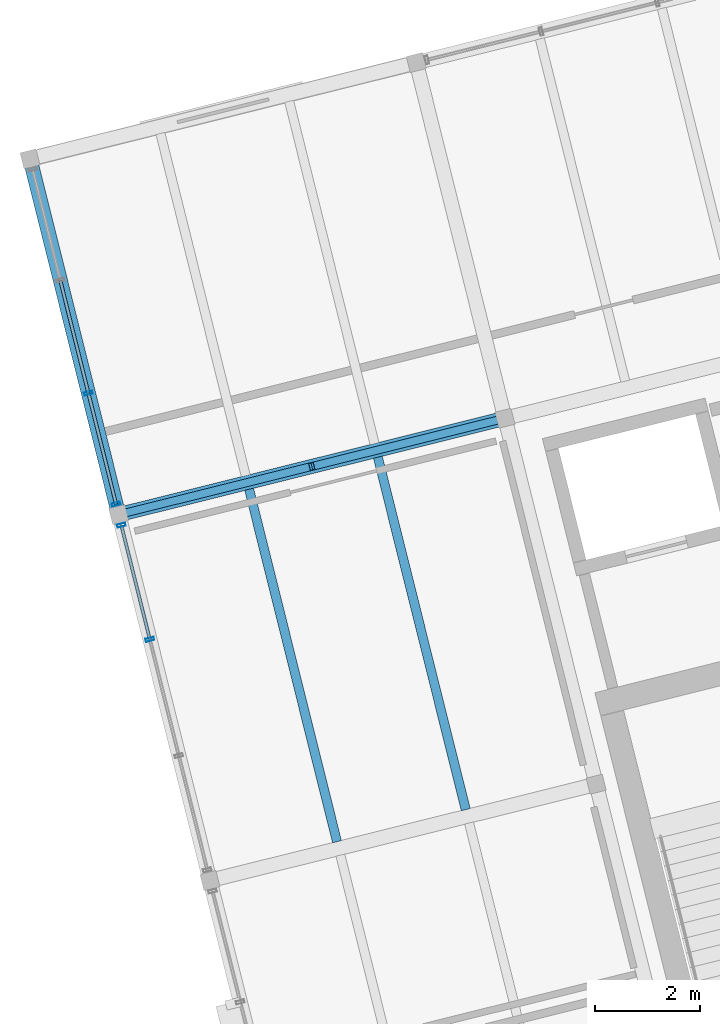
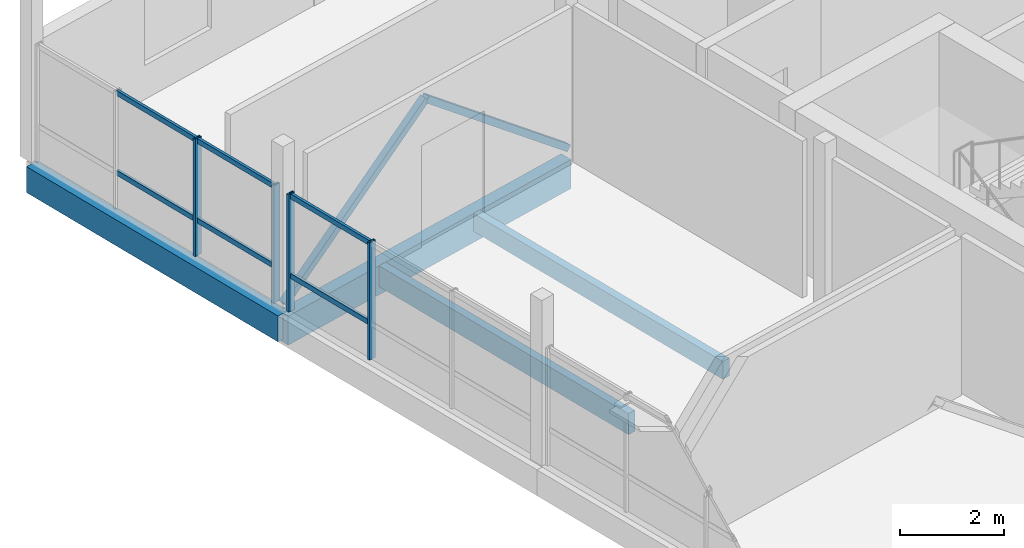
# One storey, part 9 of 25: 12 members, 4 beams, 2 elements without a shape of their own.
"""IFC4 building model written with IfcOpenShell, lengths in metres."""

import ifcopenshell
import ifcopenshell.guid

model = None  # the IFC model being written
_history = None  # IfcOwnerHistory: only IFC2X3 demands one
_inside = {}  # id of a spatial element -> (the spatial element, [elements in it])
_under = {}  # id of a project, library or spatial element -> (it, [spatial elements below it])
_declared = {}  # id of a project -> (the project, [libraries it declares])
_typed = {}  # id of a type object -> (the type object, [elements of that type])
_made_of = {}  # id of a material, layer set ... -> (it, [elements and type objects made of it])


def new_model(schema):
    """Start an empty IFC model of exactly this schema.

    Asked for "IFC4X3", IfcOpenShell would pick the latest addendum, in which some entities
    have other attributes; the version numbers below select the first issue.
    IFC2X3 requires an IfcOwnerHistory on every rooted entity: one is made here for all.
    """
    global model, _history
    if schema == "IFC4X3":
        model = ifcopenshell.file(schema_version=(4, 3, 0, 0))
    else:
        model = ifcopenshell.file(schema=schema)
    _inside.clear()
    _under.clear()
    _declared.clear()
    _typed.clear()
    _made_of.clear()
    _history = None
    if model.schema == "IFC2X3":
        org = make("IfcOrganization", Name="unknown")
        user = make(
            "IfcPersonAndOrganization",
            ThePerson=make("IfcPerson", FamilyName="unknown"),
            TheOrganization=org,
        )
        app = make(
            "IfcApplication",
            ApplicationDeveloper=org,
            Version="unknown",
            ApplicationFullName="unknown",
            ApplicationIdentifier="unknown",
        )
        _history = make(
            "IfcOwnerHistory",
            OwningUser=user,
            OwningApplication=app,
            ChangeAction="ADDED",
            CreationDate=0,
        )
    return model


def make(cls, **values):
    """One entity of the class cls with the attributes given. An attribute that is None is left unset."""
    return model.create_entity(
        cls, **{name: value for name, value in values.items() if value is not None}
    )


def rooted(cls, **values):
    """An entity with a GlobalId (a new one), such as an element, a storey or a relation."""
    return make(cls, GlobalId=ifcopenshell.guid.new(), OwnerHistory=_history, **values)


def si_unit(unit_type, name, prefix=None):
    """IfcSIUnit, for example si_unit("LENGTHUNIT", "METRE", prefix="MILLI")."""
    return make("IfcSIUnit", UnitType=unit_type, Prefix=prefix, Name=name)


def assignment(units):
    """IfcUnitAssignment: the units of a project."""
    return None if units is None else make("IfcUnitAssignment", Units=units)


def point(xyz):
    """IfcCartesianPoint."""
    return None if xyz is None else make("IfcCartesianPoint", Coordinates=xyz)


def direction(xyz):
    """IfcDirection."""
    return None if xyz is None else make("IfcDirection", DirectionRatios=xyz)


def frame(location, z_axis=None, x_axis=None):
    """IfcAxis2Placement3D, a coordinate frame: its origin and axes. An axis left out is left unset."""
    return make(
        "IfcAxis2Placement3D",
        Location=point(location),
        Axis=direction(z_axis),
        RefDirection=direction(x_axis),
    )


def frame_2d(location, x_axis=None):
    """IfcAxis2Placement2D, a coordinate frame in the plane: its origin and x axis."""
    return make(
        "IfcAxis2Placement2D", Location=point(location), RefDirection=direction(x_axis)
    )


def origin():
    """The frame at (0, 0, 0) with its axes left unset."""
    return frame((0.0, 0.0, 0.0))


def origin_2d():
    """The frame at (0, 0) in the plane with its x axis left unset."""
    return frame_2d((0.0, 0.0))


def place(relative_to, where):
    """IfcLocalPlacement: puts the frame where relative to a parent placement (None: the world)."""
    return make(
        "IfcLocalPlacement", PlacementRelTo=relative_to, RelativePlacement=where
    )


def context(
    kind, dimensions, precision=None, world=None, true_north=None, identifier=None
):
    """IfcGeometricRepresentationContext, for example the 3D "Model" context."""
    return make(
        "IfcGeometricRepresentationContext",
        ContextIdentifier=identifier,
        ContextType=kind,
        CoordinateSpaceDimension=dimensions,
        Precision=precision,
        WorldCoordinateSystem=world,
        TrueNorth=true_north,
    )


def subcontext(parent, identifier, kind, view, scale=None):
    """IfcGeometricRepresentationSubContext, for example "Body" below "Model"."""
    return make(
        "IfcGeometricRepresentationSubContext",
        ContextIdentifier=identifier,
        ContextType=kind,
        ParentContext=parent,
        TargetScale=scale,
        TargetView=view,
    )


def project(units=None, contexts=None):
    """IfcProject with its units and contexts."""
    return rooted(
        "IfcProject",
        Name="project",
        RepresentationContexts=contexts,
        UnitsInContext=assignment(units),
    )


def spatial(cls, under=None, at=None, **own):
    """A site, building, storey or space (cls), placed at a placement, below another one or the project."""
    s = rooted(cls, ObjectPlacement=at, **own)
    if under is not None:
        _under.setdefault(under.id(), (under, []))[1].append(s)
    return s


def profile(cls, at=None, kind="AREA", **sizes):
    """A parametric profile (cls). Its sizes go by their IFC names, for example OverallWidth=200.0."""
    return make(cls, ProfileType=kind, Position=at, **sizes)


def rectangle(**sizes):
    """IfcRectangleProfileDef."""
    return profile("IfcRectangleProfileDef", **sizes)


def hollow_rectangle(**sizes):
    """IfcRectangleHollowProfileDef."""
    return profile("IfcRectangleHollowProfileDef", **sizes)


def extrude(swept, where, along, depth):
    """IfcExtrudedAreaSolid: the profile swept, set in the frame where, extruded along a direction by depth."""
    return make(
        "IfcExtrudedAreaSolid",
        SweptArea=swept,
        Position=where,
        ExtrudedDirection=direction(along),
        Depth=depth,
    )


def shape(context_of_items, identifier, shape_type, items):
    """IfcShapeRepresentation: the items that make up one representation, for example the "Body"."""
    return make(
        "IfcShapeRepresentation",
        ContextOfItems=context_of_items,
        RepresentationIdentifier=identifier,
        RepresentationType=shape_type,
        Items=items,
    )


def material(Name=None, Category=None):
    """IfcMaterial."""
    return make("IfcMaterial", Name=Name, Category=Category)


def layer(
    of_material, thickness, ventilated=None, Name=None, Category=None, Priority=None
):
    """IfcMaterialLayer: one layer of a wall or slab, of a material (None: an air gap)."""
    return make(
        "IfcMaterialLayer",
        Material=of_material,
        LayerThickness=thickness,
        IsVentilated=ventilated,
        Name=Name,
        Category=Category,
        Priority=Priority,
    )


def layer_set(layers, Name=None):
    """IfcMaterialLayerSet."""
    return make("IfcMaterialLayerSet", MaterialLayers=layers, LayerSetName=Name)


def material_profile(
    of_material, cross_section, Name=None, Category=None, Priority=None
):
    """IfcMaterialProfile: a cross section and its material."""
    return make(
        "IfcMaterialProfile",
        Name=Name,
        Material=of_material,
        Profile=cross_section,
        Priority=Priority,
        Category=Category,
    )


def profile_set(profiles, Name=None, composite=None):
    """IfcMaterialProfileSet."""
    return make(
        "IfcMaterialProfileSet",
        Name=Name,
        MaterialProfiles=profiles,
        CompositeProfile=composite,
    )


def made_of(thing, what):
    """Note that an element or type object is made of a material, layer set ...; save() writes the relation."""
    if what is not None:
        _made_of.setdefault(what.id(), (what, []))[1].append(thing)
    return thing


def type_object(cls, material=None, **own):
    """A type object (cls), such as IfcWallType, which elements share."""
    return made_of(rooted(cls, **own), material)


def element(
    cls,
    number,
    at=None,
    inside=None,
    cuts=None,
    type_object=None,
    material=None,
    context=None,
    identifier="Body",
    shape_type=None,
    held_by="IfcProductDefinitionShape",
    body=None,
    shapes=None,
    **own,
):
    """One element of the class cls, such as IfcWall. Its Tag is "e" and its number.

    at: its placement. inside: the storey or other place that contains it. cuts: it is an
    opening in that element (IfcRelVoidsElement). A single representation is given by context,
    identifier, shape_type and body (its items); several are given by shapes. held_by: the class
    of the entity that holds the representations. save() writes the other relations.
    """
    e = rooted(cls, Tag="e%d" % number, ObjectPlacement=at, **own)
    if body is not None:
        shapes = [shape(context, identifier, shape_type, body)]
    if shapes is not None:
        e.Representation = make(held_by, Representations=shapes)
    if inside is not None:
        _inside.setdefault(inside.id(), (inside, []))[1].append(e)
    if cuts is not None:
        rooted(
            "IfcRelVoidsElement", RelatingBuildingElement=cuts, RelatedOpeningElement=e
        )
    if type_object is not None:
        _typed.setdefault(type_object.id(), (type_object, []))[1].append(e)
    return made_of(e, material)


def aggregate(whole, parts):
    """IfcRelAggregates: a whole, such as a stair, and the parts it consists of."""
    return rooted("IfcRelAggregates", RelatingObject=whole, RelatedObjects=parts)


def save(model, path):
    """Write the relations noted so far, then the file.

    IfcRelAggregates (storeys below a building ...), IfcRelContainedInSpatialStructure (elements
    in a storey), IfcRelDefinesByType, IfcRelAssociatesMaterial and IfcRelDeclares: one each for
    every whole, place, type object, material and project.
    """
    for whole, parts in _under.values():
        aggregate(whole, parts)
    for where, things in _inside.values():
        rooted(
            "IfcRelContainedInSpatialStructure",
            RelatedElements=things,
            RelatingStructure=where,
        )
    for kind, things in _typed.values():
        rooted("IfcRelDefinesByType", RelatedObjects=things, RelatingType=kind)
    for what, things in _made_of.values():
        rooted("IfcRelAssociatesMaterial", RelatedObjects=things, RelatingMaterial=what)
    for by, libraries in _declared.values():
        rooted("IfcRelDeclares", RelatingContext=by, RelatedDefinitions=libraries)
    model.write(path)


model = new_model("IFC4")

# Units and contexts
model_context = context("Model", 3, precision=1e-05, world=origin(), true_north=direction((0.0, 1.0)))
body_context = subcontext(model_context, "Body", "Model", "MODEL_VIEW")
ifc_project = project(units=[si_unit("LENGTHUNIT", "METRE"), si_unit("AREAUNIT", "SQUARE_METRE"), si_unit("VOLUMEUNIT", "CUBIC_METRE"), si_unit("PLANEANGLEUNIT", "RADIAN"), si_unit("MASSUNIT", "GRAM", prefix="KILO")], contexts=[model_context])

# Site, building, storey
site_placement = place(None, origin())
site = spatial("IfcSite", under=ifc_project, at=site_placement, CompositionType="ELEMENT")
building_placement = place(site_placement, origin())
building = spatial("IfcBuilding", under=site, at=building_placement, Name="Meriwether Solvik Hall", CompositionType="ELEMENT")
storey_placement = place(building_placement, frame((0.0, 0.0, 53.39990234375)))
storey = spatial("IfcBuildingStorey", under=building, at=storey_placement, Name="L13", CompositionType="ELEMENT", Elevation=53.39990234375)

# Beams
ifc_material_1 = material(Name="Glulam Douglas-Fir 24F-V8 GL28h", Category="wood")
ifc_material_profile_1 = material_profile(ifc_material_1, rectangle(XDim=0.27294921875, YDim=0.610107421875, at=origin_2d()), Name="GLB-273X610")
ifc_profile_set_1 = profile_set([ifc_material_profile_1], Name="Glulam Douglas-Fir 24F-V8 GL28h")
beam_type_1 = type_object("IfcBeamType", Name="BM-GL-273X610", PredefinedType="SPANDREL", material=ifc_profile_set_1)
beam_1_placement = place(storey_placement, frame((63.51953125, 61.576171875, -0.48486328125), z_axis=(-0.241911879182, 0.970298223594, 0.0), x_axis=(-0.970298223594, -0.241911879182, 0.0)))
element("IfcBeam", 1, at=beam_1_placement, inside=storey, type_object=beam_type_1, Name="Tower Girder T1:TD-TE (L13)", PredefinedType="SPANDREL", context=body_context, shape_type="SweptSolid", body=[
    extrude(rectangle(XDim=0.27294921875, YDim=0.610107421875, at=origin_2d()), origin(), (0.0, 0.0, 1.0), 7.0),
])
ifc_material_2 = material(Name="Glulam Douglas-Fir 24F-V8 GL28h", Category="wood")
ifc_material_profile_2 = material_profile(ifc_material_2, rectangle(XDim=0.27294921875, YDim=0.68505859375, at=origin_2d()), Name="GLB-273X685")
ifc_profile_set_2 = profile_set([ifc_material_profile_2], Name="Glulam Douglas-Fir 24F-V8 GL28h")
beam_type_2 = type_object("IfcBeamType", Name="BM-GL-273X685", PredefinedType="BEAM", material=ifc_profile_set_2)
beam_2_placement = place(storey_placement, frame((63.51953125, 61.576171875, -0.5224609375), z_axis=(0.970295366785, 0.241923337436, 0.0), x_axis=(-0.241923337436, 0.970295366785, 0.0)))
element("IfcBeam", 2, at=beam_2_placement, inside=storey, type_object=beam_type_2, Name="Tower Girder TD:T1-T2 (L13)", PredefinedType="BEAM", context=body_context, shape_type="SweptSolid", body=[
    extrude(rectangle(XDim=0.27294921875, YDim=0.68505859375, at=origin_2d()), origin(), (0.0, 0.0, 1.0), 7.60009765625),
])

# Curtain wall, members
ifc_material_3 = material(Name="Thermally Broken Anodised Aluminium 6063-T6 and Low-E Glass", Category="aluminium")
ifc_layer_1 = layer(ifc_material_3, 0.179931640625)
ifc_layer_set_1 = layer_set([ifc_layer_1], Name="Thermally Broken Anodised Aluminium 6063-T6 and Low-E Glass")
curtain_wall_type_1 = type_object("IfcCurtainWallType", Name="CW-UNIT-B", PredefinedType="USERDEFINED", material=ifc_layer_set_1)
curtain_wall_1_placement = place(storey_placement, origin())
curtain_wall_1 = element("IfcCurtainWall", 3, at=curtain_wall_1_placement, inside=storey, type_object=curtain_wall_type_1, Name="Curtain Wall E3_B2 (L13)", ObjectType="UNITISED CURTAIN WALL", PredefinedType="USERDEFINED")
ifc_material_4 = material(Name="Anodised Aluminium 6063-T6", Category="aluminium")
ifc_material_profile_3 = material_profile(ifc_material_4, hollow_rectangle(XDim=0.06005859375, YDim=0.159912109375, WallThickness=0.00390625, at=origin_2d()), Name="CWM-60X160")
ifc_profile_set_3 = profile_set([ifc_material_profile_3], Name="Anodised Aluminium 6063-T6")
member_type_1 = type_object("IfcMemberType", Name="CW-MUL-60X160", PredefinedType="MULLION", material=ifc_profile_set_3)
member_1_placement = place(storey_placement, frame((64.114013671875, 59.192626953125, 0.0), z_axis=(0.0, 0.0, 1.0), x_axis=(-0.241921877598, 0.970295730764, 0.0)))
member_1 = element("IfcMember", 4, at=member_1_placement, type_object=member_type_1, Name="Curtain Wall Mullion 3", PredefinedType="MULLION", context=body_context, shape_type="SweptSolid", body=[
    extrude(hollow_rectangle(XDim=0.06005859375, YDim=0.159912109375, WallThickness=0.00390625, at=origin_2d()), origin(), (0.0, 0.0, 1.0), 2.77001953125),
])
member_2_placement = place(storey_placement, frame((63.56982421875, 61.374755859375, 0.0), z_axis=(0.0, 0.0, 1.0), x_axis=(-0.241921877598, 0.970295730764, 0.0)))
member_2 = element("IfcMember", 5, at=member_2_placement, type_object=member_type_1, Name="Curtain Wall Mullion 4", PredefinedType="MULLION", context=body_context, shape_type="SweptSolid", body=[
    extrude(hollow_rectangle(XDim=0.06005859375, YDim=0.159912109375, WallThickness=0.00390625, at=origin_2d()), origin(), (0.0, 0.0, 1.0), 2.77001953125),
])

ifc_material_5 = material(Name="Thermally Broken Anodised Aluminium 6063-T6 and Low-E Glass", Category="aluminium")
ifc_layer_2 = layer(ifc_material_5, 0.179931640625)
ifc_layer_set_2 = layer_set([ifc_layer_2], Name="Thermally Broken Anodised Aluminium 6063-T6 and Low-E Glass")
curtain_wall_type_2 = type_object("IfcCurtainWallType", Name="CW-UNIT-C", PredefinedType="USERDEFINED", material=ifc_layer_set_2)
curtain_wall_2_placement = place(storey_placement, origin())
curtain_wall_2 = element("IfcCurtainWall", 6, at=curtain_wall_2_placement, inside=storey, type_object=curtain_wall_type_2, Name="Curtain Wall E3_B3 (L13)", ObjectType="UNITISED CURTAIN WALL", PredefinedType="USERDEFINED")
member_3_placement = place(storey_placement, frame((63.469482421875, 61.777587890625, 0.0), z_axis=(0.0, 0.0, 1.0), x_axis=(-0.241921784185, 0.970295754055, 0.0)))
member_3 = element("IfcMember", 7, at=member_3_placement, type_object=member_type_1, Name="Curtain Wall Mullion 1", PredefinedType="MULLION", context=body_context, shape_type="SweptSolid", body=[
    extrude(hollow_rectangle(XDim=0.06005859375, YDim=0.159912109375, WallThickness=0.00390625, at=origin_2d()), origin(), (0.0, 0.0, 1.0), 2.77001953125),
])
member_4_placement = place(storey_placement, frame((62.94140625, 63.89501953125, 0.0), z_axis=(0.0, 0.0, 1.0), x_axis=(-0.241921784185, 0.970295754055, 0.0)))
member_4 = element("IfcMember", 8, at=member_4_placement, type_object=member_type_1, Name="Curtain Wall Mullion 2", PredefinedType="MULLION", context=body_context, shape_type="SweptSolid", body=[
    extrude(hollow_rectangle(XDim=0.06005859375, YDim=0.159912109375, WallThickness=0.00390625, at=origin_2d()), origin(), (0.0, 0.0, 1.0), 2.77001953125),
])

# Member
ifc_material_6 = material(Name="Anodised Aluminium 6063-T6", Category="aluminium")
ifc_material_profile_4 = material_profile(ifc_material_6, hollow_rectangle(XDim=0.06005859375, YDim=0.1201171875, WallThickness=0.00390625, at=origin_2d()), Name="CWT-60X120")
ifc_profile_set_4 = profile_set([ifc_material_profile_4], Name="Anodised Aluminium 6063-T6")
member_type_2 = type_object("IfcMemberType", Name="CW-TRN-60X120", PredefinedType="USERDEFINED", material=ifc_profile_set_4)
member_5_placement = place(storey_placement, frame((64.114013671875, 59.192626953125, 0.8310546875), z_axis=(-0.241973642025, 0.970282822978, 0.0), x_axis=(-0.970282822978, -0.241973642025, 0.0)))
member_5 = element("IfcMember", 9, at=member_5_placement, type_object=member_type_2, Name="Curtain Wall Transom 3-sill", ObjectType="TRANSOM", PredefinedType="USERDEFINED", context=body_context, shape_type="SweptSolid", body=[
    extrude(hollow_rectangle(XDim=0.06005859375, YDim=0.1201171875, WallThickness=0.00390625, at=origin_2d()), origin(), (0.0, 0.0, 1.0), 2.2490234375),
])

member_6_placement = place(storey_placement, frame((64.114013671875, 59.192626953125, 2.710205078125), z_axis=(-0.241973642025, 0.970282822978, 0.0), x_axis=(-0.970282822978, -0.241973642025, 0.0)))
member_6 = element("IfcMember", 10, at=member_6_placement, type_object=member_type_2, Name="Curtain Wall Transom 3-head", ObjectType="TRANSOM", PredefinedType="USERDEFINED", context=body_context, shape_type="SweptSolid", body=[
    extrude(hollow_rectangle(XDim=0.06005859375, YDim=0.1201171875, WallThickness=0.00390625, at=origin_2d()), origin(), (0.0, 0.0, 1.0), 2.2490234375),
])

aggregate(curtain_wall_1, [member_1, member_2, member_5, member_6])

member_7_placement = place(storey_placement, frame((63.469482421875, 61.777587890625, 0.8310546875), z_axis=(-0.241982798004, 0.970280539571, 0.0), x_axis=(-0.970280539571, -0.241982798004, 0.0)))
member_7 = element("IfcMember", 11, at=member_7_placement, type_object=member_type_2, Name="Curtain Wall Transom 1-sill", ObjectType="TRANSOM", PredefinedType="USERDEFINED", context=body_context, shape_type="SweptSolid", body=[
    extrude(hollow_rectangle(XDim=0.06005859375, YDim=0.1201171875, WallThickness=0.00390625, at=origin_2d()), origin(), (0.0, 0.0, 1.0), 2.182373046875),
])

member_8_placement = place(storey_placement, frame((63.469482421875, 61.777587890625, 2.710205078125), z_axis=(-0.241982798004, 0.970280539571, 0.0), x_axis=(-0.970280539571, -0.241982798004, 0.0)))
member_8 = element("IfcMember", 12, at=member_8_placement, type_object=member_type_2, Name="Curtain Wall Transom 1-head", ObjectType="TRANSOM", PredefinedType="USERDEFINED", context=body_context, shape_type="SweptSolid", body=[
    extrude(hollow_rectangle(XDim=0.06005859375, YDim=0.1201171875, WallThickness=0.00390625, at=origin_2d()), origin(), (0.0, 0.0, 1.0), 2.182373046875),
])

member_9_placement = place(storey_placement, frame((62.94140625, 63.89501953125, 0.8310546875), z_axis=(-0.241888809617, 0.970303974939, 0.0), x_axis=(-0.970303974939, -0.241888809617, 0.0)))
member_9 = element("IfcMember", 13, at=member_9_placement, type_object=member_type_2, Name="Curtain Wall Transom 2-sill", ObjectType="TRANSOM", PredefinedType="USERDEFINED", context=body_context, shape_type="SweptSolid", body=[
    extrude(hollow_rectangle(XDim=0.06005859375, YDim=0.1201171875, WallThickness=0.00390625, at=origin_2d()), origin(), (0.0, 0.0, 1.0), 2.220458984375),
])

member_10_placement = place(storey_placement, frame((62.94140625, 63.89501953125, 2.710205078125), z_axis=(-0.241888809617, 0.970303974939, 0.0), x_axis=(-0.970303974939, -0.241888809617, 0.0)))
member_10 = element("IfcMember", 14, at=member_10_placement, type_object=member_type_2, Name="Curtain Wall Transom 2-head", ObjectType="TRANSOM", PredefinedType="USERDEFINED", context=body_context, shape_type="SweptSolid", body=[
    extrude(hollow_rectangle(XDim=0.06005859375, YDim=0.1201171875, WallThickness=0.00390625, at=origin_2d()), origin(), (0.0, 0.0, 1.0), 2.220458984375),
])

aggregate(curtain_wall_2, [member_3, member_4, member_7, member_8, member_9, member_10])

# Beams
ifc_material_7 = material(Name="Glulam Douglas-Fir 24F-V8 GL28h", Category="wood")
ifc_material_profile_5 = material_profile(ifc_material_7, rectangle(XDim=0.175048828125, YDim=0.419921875, at=origin_2d()), Name="GLJ-175X420")
ifc_profile_set_5 = profile_set([ifc_material_profile_5], Name="Glulam Douglas-Fir 24F-V8 GL28h")
beam_type_3 = type_object("IfcBeamType", Name="JST-GL-175X420", PredefinedType="JOIST", material=ifc_profile_set_5)
beam_3_placement = place(storey_placement, frame((70.145751953125, 55.943359375, -0.389892578125), z_axis=(-0.241922788949, 0.970295503539, 0.0), x_axis=(-0.970295503539, -0.241922788949, 0.0)))
element("IfcBeam", 15, at=beam_3_placement, inside=storey, type_object=beam_type_3, Name="Glulam Floor Joist T1/TC-J2 (L13)", PredefinedType="JOIST", context=body_context, shape_type="SweptSolid", body=[
    extrude(rectangle(XDim=0.175048828125, YDim=0.419921875, at=origin_2d()), origin(), (0.0, 0.0, 1.0), 6.93701171875),
])
ifc_material_8 = material(Name="Glulam Douglas-Fir 24F-V8 GL28h", Category="wood")
ifc_material_profile_6 = material_profile(ifc_material_8, rectangle(XDim=0.175048828125, YDim=0.4951171875, at=origin_2d()), Name="GLJ-175X495")
ifc_profile_set_6 = profile_set([ifc_material_profile_6], Name="Glulam Douglas-Fir 24F-V8 GL28h")
beam_type_4 = type_object("IfcBeamType", Name="JST-GL-175X495", PredefinedType="JOIST", material=ifc_profile_set_6)
beam_4_placement = place(storey_placement, frame((67.687744140625, 55.33056640625, -0.427490234375), z_axis=(-0.241922788949, 0.970295503539, 0.0), x_axis=(-0.970295503539, -0.241922788949, 0.0)))
element("IfcBeam", 16, at=beam_4_placement, inside=storey, type_object=beam_type_4, Name="Glulam Floor Joist T1/TC-J1 (L13)", PredefinedType="JOIST", context=body_context, shape_type="SweptSolid", body=[
    extrude(rectangle(XDim=0.175048828125, YDim=0.4951171875, at=origin_2d()), origin(), (0.0, 0.0, 1.0), 6.93701171875),
])

# Members
ifc_material_9 = material(Name="Steel A500 Grade C", Category="steel")
ifc_material_profile_7 = material_profile(ifc_material_9, hollow_rectangle(XDim=0.152099609375, YDim=0.152099609375, WallThickness=0.009521484375, at=origin_2d()), Name="HSS152X152X9.5")
ifc_profile_set_7 = profile_set([ifc_material_profile_7], Name="Steel A500 Grade C")
member_type_3 = type_object("IfcMemberType", Name="MEM-BR-HSS152", PredefinedType="BRACE", material=ifc_profile_set_7)
member_11_placement = place(storey_placement, frame((63.51953125, 61.576171875, 0.050048828125), z_axis=(0.761076318106, 0.18977775369, 0.620279970838), x_axis=(-0.241946039438, 0.970289706222, 0.0)))
element("IfcMember", 17, at=member_11_placement, inside=storey, type_object=member_type_3, Name="Tower Chevron Brace L13-B2A", PredefinedType="BRACE", context=body_context, shape_type="SweptSolid", body=[
    extrude(hollow_rectangle(XDim=0.152099609375, YDim=0.152099609375, WallThickness=0.009521484375, at=origin_2d()), origin(), (0.0, 0.0, 1.0), 4.8447265625),
])
member_12_placement = place(storey_placement, frame((70.893798828125, 63.414794921875, 0.050048828125), z_axis=(-0.761062391576, -0.189736452409, 0.620309692618), x_axis=(0.241900633533, -0.970301027257, 0.0)))
element("IfcMember", 18, at=member_12_placement, inside=storey, type_object=member_type_3, Name="Tower Chevron Brace L13-B2B", PredefinedType="BRACE", context=body_context, shape_type="SweptSolid", body=[
    extrude(hollow_rectangle(XDim=0.152099609375, YDim=0.152099609375, WallThickness=0.009521484375, at=origin_2d()), origin(), (0.0, 0.0, 1.0), 4.844482421875),
])

save(model, "model.ifc")
